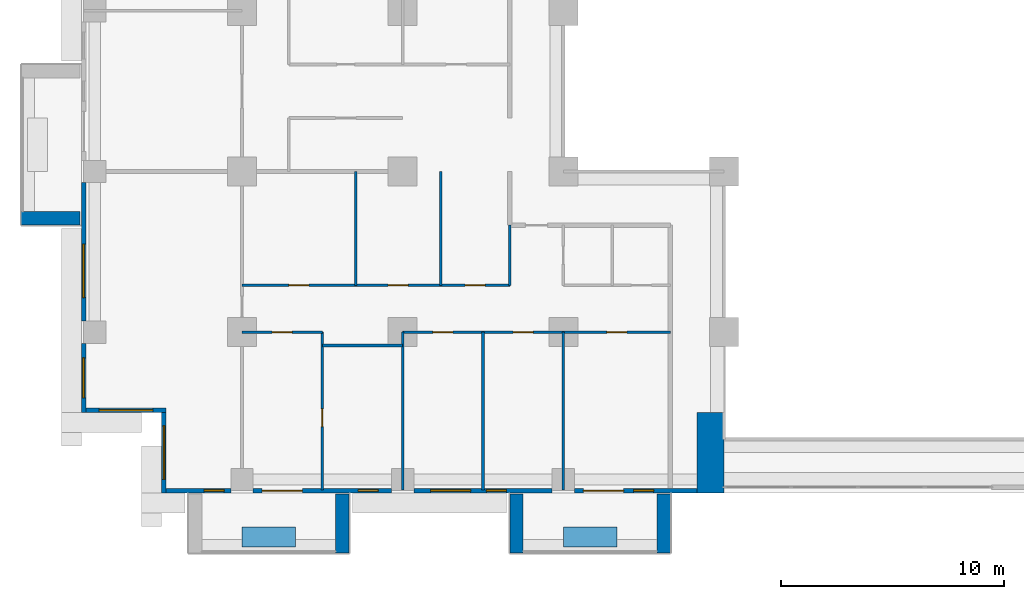
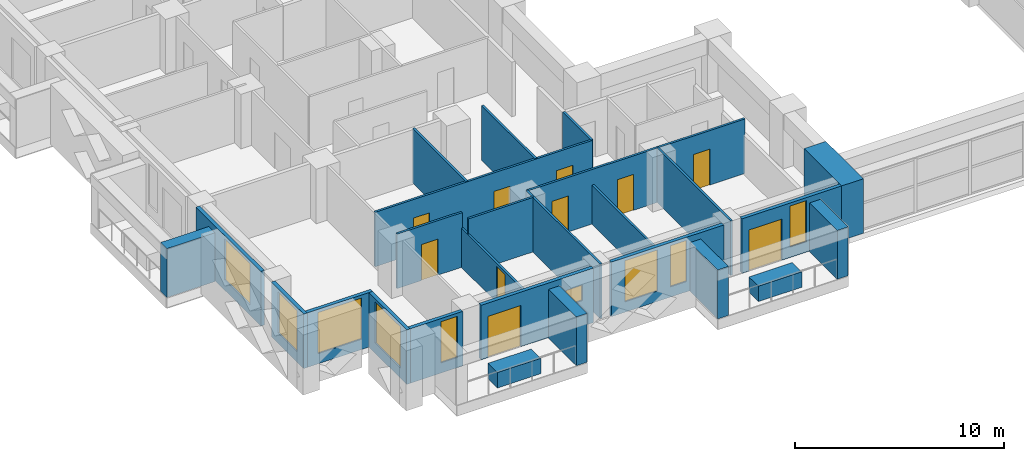
# One storey, part 6 of 17: 26 walls, 10 doors, 9 windows, 19 openings.
"""IFC4 building model written with IfcOpenShell, lengths in metres."""

from ifc_helpers import new_model, si_unit, direction, frame, frame_2d, origin, place, context, subcontext, project, spatial, rectangle, extrude, material, layer, layer_set, type_object, element, fill, save


model = new_model("IFC4")

# Units and contexts
model_context = context("Model", 3, precision=1e-05, world=origin(), true_north=direction((0.0, 1.0)))
body_context = subcontext(model_context, "Body", "Model", "MODEL_VIEW")
ifc_project = project(units=[si_unit("LENGTHUNIT", "METRE"), si_unit("AREAUNIT", "SQUARE_METRE"), si_unit("VOLUMEUNIT", "CUBIC_METRE"), si_unit("PLANEANGLEUNIT", "RADIAN"), si_unit("MASSUNIT", "GRAM", prefix="KILO")], contexts=[model_context])

# Site, building, storey
site_placement = place(None, origin())
site = spatial("IfcSite", under=ifc_project, at=site_placement, CompositionType="ELEMENT")
building_placement = place(site_placement, origin())
building = spatial("IfcBuilding", under=site, at=building_placement, Name="Saffron Iwan Residences", CompositionType="ELEMENT")
storey_placement = place(building_placement, frame((0.0, 0.0, 76.0)))
storey = spatial("IfcBuildingStorey", under=building, at=storey_placement, Name="L19", CompositionType="ELEMENT", Elevation=76.0)

# Walls
ifc_material_1 = material(Name="Concrete C50/60 white painted", Category="concrete")
ifc_layer_1 = layer(ifc_material_1, 0.60009765625)
ifc_layer_set_1 = layer_set([ifc_layer_1], Name="Concrete C50/60 white painted")
wall_type_1 = type_object("IfcWallType", Name="BALCONY FIN 600", PredefinedType="SOLIDWALL", material=ifc_layer_set_1)
for number, where, z_axis, x_axis, name in (
    (1, (14.35009765625, 45.89990234375, 0.0), (0.0, 0.0, 1.0), (-1.0, 0.0, 0.0), "Balcony fin L19 F8-1b"),
    (2, (26.10009765625, 33.550048828125, 0.0), (0.0, 0.0, 1.0), (0.0, -1.0, 0.0), "Balcony fin L19 11-0b"),
    (3, (33.89990234375, 33.550048828125, 0.0), (0.0, 0.0, 1.0), (0.0, -1.0, 0.0), "Balcony fin L19 11-1a"),
    (4, (40.5, 33.550048828125, 0.0), (0.0, 0.0, 1.0), (0.0, -1.0, 0.0), "Balcony fin L19 11-1b"),
):
    element("IfcWall", number, at=place(storey_placement, frame(where, z_axis=z_axis, x_axis=x_axis)), inside=storey, type_object=wall_type_1, Name=name, PredefinedType="SOLIDWALL", context=body_context, shape_type="SweptSolid", body=[
        extrude(rectangle(XDim=2.650146484375, YDim=0.60009765625, at=frame_2d((1.3251953125, 0.0))), origin(), (0.0, 0.0, 1.0), 2.85009765625),
    ])
ifc_material_2 = material(Name="Concrete C35/45 white painted", Category="concrete")
ifc_layer_2 = layer(ifc_material_2, 0.14990234375)
ifc_layer_set_2 = layer_set([ifc_layer_2], Name="Concrete C35/45 white painted")
wall_type_2 = type_object("IfcWallType", Name="BALCONY PLANTER", PredefinedType="SOLIDWALL", material=ifc_layer_set_2)
for number, where, z_axis, x_axis, name in (
    (5, (21.60009765625, 31.625, 0.0), (0.0, 0.0, 1.0), (1.0, 0.0, 0.0), "PLANTER L19 11-0"),
    (6, (36.0, 31.625, 0.0), (0.0, 0.0, 1.0), (1.0, 0.0, 0.0), "PLANTER L19 11-1"),
):
    element("IfcWall", number, at=place(storey_placement, frame(where, z_axis=z_axis, x_axis=x_axis)), inside=storey, type_object=wall_type_2, Name=name, PredefinedType="SOLIDWALL", context=body_context, shape_type="SweptSolid", body=[
        extrude(rectangle(XDim=2.39990234375, YDim=0.89990234375, at=frame_2d((1.199951171875, 0.0))), origin(), (0.0, 0.0, 1.0), 0.89990234375),
    ])

# Wall, opening, window
ifc_material_3 = material(Name="Concrete C40/50", Category="concrete")
ifc_layer_3 = layer(ifc_material_3, 0.199951171875)
ifc_layer_set_3 = layer_set([ifc_layer_3], Name="Concrete C40/50")
wall_type_3 = type_object("IfcWallType", Name="EXTERNAL WALL 200", PredefinedType="SOLIDWALL", material=ifc_layer_set_3)
wall_1_placement = place(storey_placement, frame((14.5, 47.5, 0.0), z_axis=(0.0, 0.0, 1.0), x_axis=(0.0, -1.0, 0.0)))
wall_1 = element("IfcWall", 7, at=wall_1_placement, inside=storey, type_object=wall_type_3, Name="External wall L19 F8.4", PredefinedType="SOLIDWALL", context=body_context, shape_type="SweptSolid", body=[
    extrude(rectangle(XDim=6.199951171875, YDim=0.199951171875, at=frame_2d((3.10009765625, 0.0))), origin(), (0.0, 0.0, 1.0), 3.179931640625),
])
opening_1_placement = place(wall_1_placement, frame((2.75, 0.0, 0.60009765625)))
opening_1 = element("IfcOpeningElement", 8, at=opening_1_placement, cuts=wall_1, Name="Opening W1", PredefinedType="OPENING", context=body_context, shape_type="SweptSolid", body=[
    extrude(rectangle(XDim=2.39990234375, YDim=2.39990234375, at=frame_2d((1.199951171875, 1.199951171875))), frame((0.0, 0.10986328125, 0.0), z_axis=(0.0, -1.0, 0.0), x_axis=(1.0, 0.0, 0.0)), (0.0, 0.0, 1.0), 0.219970703125),
])
ifc_material_4 = material(Name="Clear glass, laminated double glazed", Category="glass")
window_type_1 = type_object("IfcWindowType", Name="WINDOW 2400 x 2400", PartitioningType="DOUBLE_PANEL_VERTICAL", PredefinedType="WINDOW", material=ifc_material_4)
window_1_placement = place(opening_1_placement, origin())
window_1 = element("IfcWindow", 9, at=window_1_placement, inside=storey, type_object=window_type_1, Name="Window L19 F8.0", OverallHeight=2.39990234375, OverallWidth=2.39990234375, PartitioningType="DOUBLE_PANEL_VERTICAL", PredefinedType="WINDOW", context=body_context, shape_type="SweptSolid", body=[
    extrude(rectangle(XDim=2.39990234375, YDim=2.39990234375, at=frame_2d((1.199951171875, 1.199951171875))), frame((0.0, 0.030029296875, 0.0), z_axis=(0.0, -1.0, 0.0), x_axis=(1.0, 0.0, 0.0)), (0.0, 0.0, 1.0), 0.06005859375),
])
fill(opening_1, window_1)

wall_2_placement = place(storey_placement, frame((14.5, 40.300048828125, 0.0), z_axis=(0.0, 0.0, 1.0), x_axis=(0.0, -1.0, 0.0)))
wall_2 = element("IfcWall", 10, at=wall_2_placement, inside=storey, type_object=wall_type_3, Name="External wall L19 F8.5", PredefinedType="SOLIDWALL", context=body_context, shape_type="SweptSolid", body=[
    extrude(rectangle(XDim=3.10009765625, YDim=0.199951171875, at=frame_2d((1.550048828125, 0.0))), origin(), (0.0, 0.0, 1.0), 3.179931640625),
])
opening_2_placement = place(wall_2_placement, frame((0.64990234375, 0.0, 0.60009765625)))
opening_2 = element("IfcOpeningElement", 11, at=opening_2_placement, cuts=wall_2, Name="Opening W8", PredefinedType="OPENING", context=body_context, shape_type="SweptSolid", body=[
    extrude(rectangle(XDim=1.800048828125, YDim=2.39990234375, at=frame_2d((0.89990234375, 1.199951171875))), frame((0.0, 0.10986328125, 0.0), z_axis=(0.0, -1.0, 0.0), x_axis=(1.0, 0.0, 0.0)), (0.0, 0.0, 1.0), 0.219970703125),
])
window_type_2 = type_object("IfcWindowType", Name="WINDOW 1800 x 2400", PartitioningType="DOUBLE_PANEL_VERTICAL", PredefinedType="WINDOW", material=ifc_material_4)
window_2_placement = place(opening_2_placement, origin())
window_2 = element("IfcWindow", 12, at=window_2_placement, inside=storey, type_object=window_type_2, Name="Window L19 F8.0", OverallHeight=2.39990234375, OverallWidth=1.800048828125, PartitioningType="DOUBLE_PANEL_VERTICAL", PredefinedType="WINDOW", context=body_context, shape_type="SweptSolid", body=[
    extrude(rectangle(XDim=1.800048828125, YDim=2.39990234375, at=frame_2d((0.89990234375, 1.199951171875))), frame((0.0, 0.030029296875, 0.0), z_axis=(0.0, -1.0, 0.0), x_axis=(1.0, 0.0, 0.0)), (0.0, 0.0, 1.0), 0.06005859375),
])
fill(opening_2, window_2)

wall_3_placement = place(storey_placement, frame((14.60009765625, 37.300048828125, 0.0), z_axis=(0.0, 0.0, 1.0), x_axis=(1.0, 0.0, 0.0)))
wall_3 = element("IfcWall", 13, at=wall_3_placement, inside=storey, type_object=wall_type_3, Name="External wall L19 F9.0", PredefinedType="SOLIDWALL", context=body_context, shape_type="SweptSolid", body=[
    extrude(rectangle(XDim=3.599853515625, YDim=0.199951171875, at=frame_2d((1.7998046875, 0.0))), origin(), (0.0, 0.0, 1.0), 3.179931640625),
])
opening_3_placement = place(wall_3_placement, frame((0.60009765625, 0.0, 0.60009765625)))
opening_3 = element("IfcOpeningElement", 14, at=opening_3_placement, cuts=wall_3, Name="Opening W1", PredefinedType="OPENING", context=body_context, shape_type="SweptSolid", body=[
    extrude(rectangle(XDim=2.39990234375, YDim=2.39990234375, at=frame_2d((1.199951171875, 1.199951171875))), frame((0.0, 0.10986328125, 0.0), z_axis=(0.0, -1.0, 0.0), x_axis=(1.0, 0.0, 0.0)), (0.0, 0.0, 1.0), 0.219970703125),
])
window_3_placement = place(opening_3_placement, origin())
window_3 = element("IfcWindow", 15, at=window_3_placement, inside=storey, type_object=window_type_1, Name="Window L19 F9.0", OverallHeight=2.39990234375, OverallWidth=2.39990234375, PartitioningType="DOUBLE_PANEL_VERTICAL", PredefinedType="WINDOW", context=body_context, shape_type="SweptSolid", body=[
    extrude(rectangle(XDim=2.39990234375, YDim=2.39990234375, at=frame_2d((1.199951171875, 1.199951171875))), frame((0.0, 0.030029296875, 0.0), z_axis=(0.0, -1.0, 0.0), x_axis=(1.0, 0.0, 0.0)), (0.0, 0.0, 1.0), 0.06005859375),
])
fill(opening_3, window_3)

wall_4_placement = place(storey_placement, frame((18.10009765625, 37.199951171875, 0.0), z_axis=(0.0, 0.0, 1.0), x_axis=(0.0, -1.0, 0.0)))
wall_4 = element("IfcWall", 16, at=wall_4_placement, inside=storey, type_object=wall_type_3, Name="External wall L19 F10.0", PredefinedType="SOLIDWALL", context=body_context, shape_type="SweptSolid", body=[
    extrude(rectangle(XDim=3.599853515625, YDim=0.199951171875, at=frame_2d((1.7998046875, 0.0))), origin(), (0.0, 0.0, 1.0), 3.179931640625),
])
opening_4_placement = place(wall_4_placement, frame((0.60009765625, 0.0, 0.60009765625)))
opening_4 = element("IfcOpeningElement", 17, at=opening_4_placement, cuts=wall_4, Name="Opening W1", PredefinedType="OPENING", context=body_context, shape_type="SweptSolid", body=[
    extrude(rectangle(XDim=2.39990234375, YDim=2.39990234375, at=frame_2d((1.199951171875, 1.199951171875))), frame((0.0, 0.10986328125, 0.0), z_axis=(0.0, -1.0, 0.0), x_axis=(1.0, 0.0, 0.0)), (0.0, 0.0, 1.0), 0.219970703125),
])
window_4_placement = place(opening_4_placement, origin())
window_4 = element("IfcWindow", 18, at=window_4_placement, inside=storey, type_object=window_type_1, Name="Window L19 F10.0", OverallHeight=2.39990234375, OverallWidth=2.39990234375, PartitioningType="DOUBLE_PANEL_VERTICAL", PredefinedType="WINDOW", context=body_context, shape_type="SweptSolid", body=[
    extrude(rectangle(XDim=2.39990234375, YDim=2.39990234375, at=frame_2d((1.199951171875, 1.199951171875))), frame((0.0, 0.030029296875, 0.0), z_axis=(0.0, -1.0, 0.0), x_axis=(1.0, 0.0, 0.0)), (0.0, 0.0, 1.0), 0.06005859375),
])
fill(opening_4, window_4)

wall_5_placement = place(storey_placement, frame((18.199951171875, 33.699951171875, 0.0), z_axis=(0.0, 0.0, 1.0), x_axis=(1.0, 0.0, 0.0)))
wall_5 = element("IfcWall", 19, at=wall_5_placement, inside=storey, type_object=wall_type_3, Name="External wall L19 F11.0", PredefinedType="SOLIDWALL", context=body_context, shape_type="SweptSolid", body=[
    extrude(rectangle(XDim=2.900146484375, YDim=0.199951171875, at=frame_2d((1.4501953125, 0.0))), origin(), (0.0, 0.0, 1.0), 3.179931640625),
])
opening_5_placement = place(wall_5_placement, frame((1.699951171875, 0.0, 0.60009765625)))
opening_5 = element("IfcOpeningElement", 20, at=opening_5_placement, cuts=wall_5, Name="Opening W10", PredefinedType="OPENING", context=body_context, shape_type="SweptSolid", body=[
    extrude(rectangle(XDim=0.89990234375, YDim=2.39990234375, at=frame_2d((0.449951171875, 1.199951171875))), frame((0.0, 0.10986328125, 0.0), z_axis=(0.0, -1.0, 0.0), x_axis=(1.0, 0.0, 0.0)), (0.0, 0.0, 1.0), 0.219970703125),
])
window_type_3 = type_object("IfcWindowType", Name="WINDOW 900 x 2400", PartitioningType="SINGLE_PANEL", PredefinedType="WINDOW", material=ifc_material_4)
window_5_placement = place(opening_5_placement, origin())
window_5 = element("IfcWindow", 21, at=window_5_placement, inside=storey, type_object=window_type_3, Name="Window L19 F11.0", OverallHeight=2.39990234375, OverallWidth=0.89990234375, PartitioningType="SINGLE_PANEL", PredefinedType="WINDOW", context=body_context, shape_type="SweptSolid", body=[
    extrude(rectangle(XDim=0.89990234375, YDim=2.39990234375, at=frame_2d((0.449951171875, 1.199951171875))), frame((0.0, 0.030029296875, 0.0), z_axis=(0.0, -1.0, 0.0), x_axis=(1.0, 0.0, 0.0)), (0.0, 0.0, 1.0), 0.06005859375),
])
fill(opening_5, window_5)

# Wall, openings, door, window
wall_6_placement = place(storey_placement, frame((22.10009765625, 33.699951171875, 0.0), z_axis=(0.0, 0.0, 1.0), x_axis=(1.0, 0.0, 0.0)))
wall_6 = element("IfcWall", 22, at=wall_6_placement, inside=storey, type_object=wall_type_3, Name="External wall L19 F11.1", PredefinedType="SOLIDWALL", context=body_context, shape_type="SweptSolid", body=[
    extrude(rectangle(XDim=6.199951171875, YDim=0.199951171875, at=frame_2d((3.10009765625, 0.0))), origin(), (0.0, 0.0, 1.0), 3.179931640625),
])
opening_6_placement = place(wall_6_placement, frame((0.39990234375, 0.0, 0.0)))
opening_6 = element("IfcOpeningElement", 23, at=opening_6_placement, cuts=wall_6, Name="Opening BD1", PredefinedType="OPENING", context=body_context, shape_type="SweptSolid", body=[
    extrude(rectangle(XDim=1.800048828125, YDim=2.39990234375, at=frame_2d((0.89990234375, 1.199951171875))), frame((0.0, 0.10986328125, 0.0), z_axis=(0.0, -1.0, 0.0), x_axis=(1.0, 0.0, 0.0)), (0.0, 0.0, 1.0), 0.219970703125),
])
opening_7_placement = place(wall_6_placement, frame((4.699951171875, 0.0, 1.5)))
opening_7 = element("IfcOpeningElement", 24, at=opening_7_placement, cuts=wall_6, Name="Opening W6", PredefinedType="OPENING", context=body_context, shape_type="SweptSolid", body=[
    extrude(rectangle(XDim=0.89990234375, YDim=0.89990234375, at=frame_2d((0.449951171875, 0.449951171875))), frame((0.0, 0.10986328125, 0.0), z_axis=(0.0, -1.0, 0.0), x_axis=(1.0, 0.0, 0.0)), (0.0, 0.0, 1.0), 0.219970703125),
])
door_type_1 = type_object("IfcDoorType", Name="BALCONY DOOR 1800 x 2400", OperationType="DOUBLE_DOOR_SLIDING", PredefinedType="DOOR", material=ifc_material_4)
door_1_placement = place(opening_6_placement, origin())
door_1 = element("IfcDoor", 25, at=door_1_placement, inside=storey, type_object=door_type_1, Name="Balcony door L19 F11.0", OperationType="DOUBLE_DOOR_SLIDING", OverallHeight=2.39990234375, OverallWidth=1.800048828125, PredefinedType="DOOR", context=body_context, shape_type="SweptSolid", body=[
    extrude(rectangle(XDim=1.800048828125, YDim=2.39990234375, at=frame_2d((0.89990234375, 1.199951171875))), frame((0.0, 0.02490234375, 0.0), z_axis=(0.0, -1.0, 0.0), x_axis=(1.0, 0.0, 0.0)), (0.0, 0.0, 1.0), 0.050048828125),
])
fill(opening_6, door_1)
window_type_4 = type_object("IfcWindowType", Name="WINDOW 900 x 900 BATH", PartitioningType="SINGLE_PANEL", PredefinedType="WINDOW", material=ifc_material_4)
window_6_placement = place(opening_7_placement, origin())
window_6 = element("IfcWindow", 26, at=window_6_placement, inside=storey, type_object=window_type_4, Name="Window L19 F11.1", OverallHeight=0.89990234375, OverallWidth=0.89990234375, PartitioningType="SINGLE_PANEL", PredefinedType="WINDOW", context=body_context, shape_type="SweptSolid", body=[
    extrude(rectangle(XDim=0.89990234375, YDim=0.89990234375, at=frame_2d((0.449951171875, 0.449951171875))), frame((0.0, 0.030029296875, 0.0), z_axis=(0.0, -1.0, 0.0), x_axis=(1.0, 0.0, 0.0)), (0.0, 0.0, 1.0), 0.06005859375),
])
fill(opening_7, window_6)

# Wall, openings, windows
wall_7_placement = place(storey_placement, frame((29.300048828125, 33.699951171875, 0.0), z_axis=(0.0, 0.0, 1.0), x_axis=(1.0, 0.0, 0.0)))
wall_7 = element("IfcWall", 27, at=wall_7_placement, inside=storey, type_object=wall_type_3, Name="External wall L19 F11.2", PredefinedType="SOLIDWALL", context=body_context, shape_type="SweptSolid", body=[
    extrude(rectangle(XDim=6.199951171875, YDim=0.199951171875, at=frame_2d((3.10009765625, 0.0))), origin(), (0.0, 0.0, 1.0), 3.179931640625),
])
opening_8_placement = place(wall_7_placement, frame((0.75, 0.0, 0.60009765625)))
opening_8 = element("IfcOpeningElement", 28, at=opening_8_placement, cuts=wall_7, Name="Opening W8", PredefinedType="OPENING", context=body_context, shape_type="SweptSolid", body=[
    extrude(rectangle(XDim=1.800048828125, YDim=2.39990234375, at=frame_2d((0.89990234375, 1.199951171875))), frame((0.0, 0.10986328125, 0.0), z_axis=(0.0, -1.0, 0.0), x_axis=(1.0, 0.0, 0.0)), (0.0, 0.0, 1.0), 0.219970703125),
])
opening_9_placement = place(wall_7_placement, frame((3.25, 0.0, 0.60009765625)))
opening_9 = element("IfcOpeningElement", 29, at=opening_9_placement, cuts=wall_7, Name="Opening W10", PredefinedType="OPENING", context=body_context, shape_type="SweptSolid", body=[
    extrude(rectangle(XDim=0.89990234375, YDim=2.39990234375, at=frame_2d((0.449951171875, 1.199951171875))), frame((0.0, 0.10986328125, 0.0), z_axis=(0.0, -1.0, 0.0), x_axis=(1.0, 0.0, 0.0)), (0.0, 0.0, 1.0), 0.219970703125),
])
window_7_placement = place(opening_8_placement, origin())
window_7 = element("IfcWindow", 30, at=window_7_placement, inside=storey, type_object=window_type_2, Name="Window L19 F11.0", OverallHeight=2.39990234375, OverallWidth=1.800048828125, PartitioningType="DOUBLE_PANEL_VERTICAL", PredefinedType="WINDOW", context=body_context, shape_type="SweptSolid", body=[
    extrude(rectangle(XDim=1.800048828125, YDim=2.39990234375, at=frame_2d((0.89990234375, 1.199951171875))), frame((0.0, 0.030029296875, 0.0), z_axis=(0.0, -1.0, 0.0), x_axis=(1.0, 0.0, 0.0)), (0.0, 0.0, 1.0), 0.06005859375),
])
fill(opening_8, window_7)
window_8_placement = place(opening_9_placement, origin())
window_8 = element("IfcWindow", 31, at=window_8_placement, inside=storey, type_object=window_type_3, Name="Window L19 F11.1", OverallHeight=2.39990234375, OverallWidth=0.89990234375, PartitioningType="SINGLE_PANEL", PredefinedType="WINDOW", context=body_context, shape_type="SweptSolid", body=[
    extrude(rectangle(XDim=0.89990234375, YDim=2.39990234375, at=frame_2d((0.449951171875, 1.199951171875))), frame((0.0, 0.030029296875, 0.0), z_axis=(0.0, -1.0, 0.0), x_axis=(1.0, 0.0, 0.0)), (0.0, 0.0, 1.0), 0.06005859375),
])
fill(opening_9, window_8)

# Wall, openings, door, window
wall_8_placement = place(storey_placement, frame((36.5, 33.699951171875, 0.0), z_axis=(0.0, 0.0, 1.0), x_axis=(1.0, 0.0, 0.0)))
wall_8 = element("IfcWall", 32, at=wall_8_placement, inside=storey, type_object=wall_type_3, Name="External wall L19 F11.3", PredefinedType="SOLIDWALL", context=body_context, shape_type="SweptSolid", body=[
    extrude(rectangle(XDim=5.5, YDim=0.199951171875, at=frame_2d((2.75, 0.0))), origin(), (0.0, 0.0, 1.0), 3.179931640625),
])
opening_10_placement = place(wall_8_placement, frame((0.39990234375, 0.0, 0.0)))
opening_10 = element("IfcOpeningElement", 33, at=opening_10_placement, cuts=wall_8, Name="Opening BD1", PredefinedType="OPENING", context=body_context, shape_type="SweptSolid", body=[
    extrude(rectangle(XDim=1.800048828125, YDim=2.39990234375, at=frame_2d((0.89990234375, 1.199951171875))), frame((0.0, 0.10986328125, 0.0), z_axis=(0.0, -1.0, 0.0), x_axis=(1.0, 0.0, 0.0)), (0.0, 0.0, 1.0), 0.219970703125),
])
opening_11_placement = place(wall_8_placement, frame((2.64990234375, 0.0, 0.60009765625)))
opening_11 = element("IfcOpeningElement", 34, at=opening_11_placement, cuts=wall_8, Name="Opening W10", PredefinedType="OPENING", context=body_context, shape_type="SweptSolid", body=[
    extrude(rectangle(XDim=0.89990234375, YDim=2.39990234375, at=frame_2d((0.449951171875, 1.199951171875))), frame((0.0, 0.10986328125, 0.0), z_axis=(0.0, -1.0, 0.0), x_axis=(1.0, 0.0, 0.0)), (0.0, 0.0, 1.0), 0.219970703125),
])
door_2_placement = place(opening_10_placement, origin())
door_2 = element("IfcDoor", 35, at=door_2_placement, inside=storey, type_object=door_type_1, Name="Balcony door L19 F11.0", OperationType="DOUBLE_DOOR_SLIDING", OverallHeight=2.39990234375, OverallWidth=1.800048828125, PredefinedType="DOOR", context=body_context, shape_type="SweptSolid", body=[
    extrude(rectangle(XDim=1.800048828125, YDim=2.39990234375, at=frame_2d((0.89990234375, 1.199951171875))), frame((0.0, 0.02490234375, 0.0), z_axis=(0.0, -1.0, 0.0), x_axis=(1.0, 0.0, 0.0)), (0.0, 0.0, 1.0), 0.050048828125),
])
fill(opening_10, door_2)
window_9_placement = place(opening_11_placement, origin())
window_9 = element("IfcWindow", 36, at=window_9_placement, inside=storey, type_object=window_type_3, Name="Window L19 F11.1", OverallHeight=2.39990234375, OverallWidth=0.89990234375, PartitioningType="SINGLE_PANEL", PredefinedType="WINDOW", context=body_context, shape_type="SweptSolid", body=[
    extrude(rectangle(XDim=0.89990234375, YDim=2.39990234375, at=frame_2d((0.449951171875, 1.199951171875))), frame((0.0, 0.030029296875, 0.0), z_axis=(0.0, -1.0, 0.0), x_axis=(1.0, 0.0, 0.0)), (0.0, 0.0, 1.0), 0.06005859375),
])
fill(opening_11, window_9)

# Wall
ifc_material_5 = material(Name="Gypsum board partition")
ifc_layer_4 = layer(ifc_material_5, 0.1201171875)
ifc_layer_set_4 = layer_set([ifc_layer_4], Name="Gypsum board partition")
wall_type_4 = type_object("IfcWallType", Name="Flat partition 120", PredefinedType="PARTITIONING", material=ifc_layer_set_4)
wall_9_placement = place(storey_placement, frame((25.199951171875, 40.199951171875, 0.0), z_axis=(0.0, 0.0, 1.0), x_axis=(1.0, 0.0, 0.0)))
element("IfcWall", 37, at=wall_9_placement, inside=storey, type_object=wall_type_4, Name="W-L19-PART-h40.2-25.2", PredefinedType="PARTITIONING", context=body_context, shape_type="SweptSolid", body=[
    extrude(rectangle(XDim=3.60009765625, YDim=0.1201171875, at=frame_2d((1.800048828125, 0.0))), origin(), (0.0, 0.0, 1.0), 3.179931640625),
])

# Wall, opening, door
wall_10_placement = place(storey_placement, frame((21.60009765625, 40.800048828125, 0.0), z_axis=(0.0, 0.0, 1.0), x_axis=(1.0, 0.0, 0.0)))
wall_10 = element("IfcWall", 38, at=wall_10_placement, inside=storey, type_object=wall_type_4, Name="W-L19-PART-h40.8-21.6", PredefinedType="PARTITIONING", context=body_context, shape_type="SweptSolid", body=[
    extrude(rectangle(XDim=3.599853515625, YDim=0.1201171875, at=frame_2d((1.7998046875, 0.0))), origin(), (0.0, 0.0, 1.0), 3.179931640625),
])
opening_12_placement = place(wall_10_placement, frame((1.35009765625, 0.0, 0.0)))
opening_12 = element("IfcOpeningElement", 39, at=opening_12_placement, cuts=wall_10, Name="Opening FD2", PredefinedType="OPENING", context=body_context, shape_type="SweptSolid", body=[
    extrude(rectangle(XDim=0.89990234375, YDim=2.10009765625, at=frame_2d((0.449951171875, 1.050048828125))), frame((0.0, 0.070068359375, 0.0), z_axis=(0.0, -1.0, 0.0), x_axis=(1.0, 0.0, 0.0)), (0.0, 0.0, 1.0), 0.14013671875),
])
ifc_material_6 = material(Name="Timber door", Category="wood")
door_type_2 = type_object("IfcDoorType", Name="Flat door 900", OperationType="NOTDEFINED", PredefinedType="DOOR", material=ifc_material_6)
door_3_placement = place(opening_12_placement, origin())
door_3 = element("IfcDoor", 40, at=door_3_placement, inside=storey, type_object=door_type_2, Name="Door L19-003", OperationType="SINGLE_SWING_RIGHT", OverallHeight=2.10009765625, OverallWidth=0.89990234375, PredefinedType="DOOR", context=body_context, shape_type="SweptSolid", body=[
    extrude(rectangle(XDim=0.89990234375, YDim=2.10009765625, at=frame_2d((0.449951171875, 1.050048828125))), frame((0.0, 0.02490234375, 0.0), z_axis=(0.0, -1.0, 0.0), x_axis=(1.0, 0.0, 0.0)), (0.0, 0.0, 1.0), 0.050048828125),
])
fill(opening_12, door_3)

# Wall, openings, doors
wall_11_placement = place(storey_placement, frame((28.800048828125, 40.800048828125, 0.0), z_axis=(0.0, 0.0, 1.0), x_axis=(1.0, 0.0, 0.0)))
wall_11 = element("IfcWall", 41, at=wall_11_placement, inside=storey, type_object=wall_type_4, Name="W-L19-PART-h40.8-28.8", PredefinedType="PARTITIONING", context=body_context, shape_type="SweptSolid", body=[
    extrude(rectangle(XDim=12.0, YDim=0.1201171875, at=frame_2d((6.0, 0.0))), origin(), (0.0, 0.0, 1.0), 3.179931640625),
])
opening_13_placement = place(wall_11_placement, frame((1.35009765625, 0.0, 0.0)))
opening_13 = element("IfcOpeningElement", 42, at=opening_13_placement, cuts=wall_11, Name="Opening FD2", PredefinedType="OPENING", context=body_context, shape_type="SweptSolid", body=[
    extrude(rectangle(XDim=0.89990234375, YDim=2.10009765625, at=frame_2d((0.449951171875, 1.050048828125))), frame((0.0, 0.070068359375, 0.0), z_axis=(0.0, -1.0, 0.0), x_axis=(1.0, 0.0, 0.0)), (0.0, 0.0, 1.0), 0.14013671875),
])
opening_14_placement = place(wall_11_placement, frame((4.949951171875, 0.0, 0.0)))
opening_14 = element("IfcOpeningElement", 43, at=opening_14_placement, cuts=wall_11, Name="Opening FD2", PredefinedType="OPENING", context=body_context, shape_type="SweptSolid", body=[
    extrude(rectangle(XDim=0.89990234375, YDim=2.10009765625, at=frame_2d((0.449951171875, 1.050048828125))), frame((0.0, 0.070068359375, 0.0), z_axis=(0.0, -1.0, 0.0), x_axis=(1.0, 0.0, 0.0)), (0.0, 0.0, 1.0), 0.14013671875),
])
opening_15_placement = place(wall_11_placement, frame((9.14990234375, 0.0, 0.0)))
opening_15 = element("IfcOpeningElement", 44, at=opening_15_placement, cuts=wall_11, Name="Opening FD2", PredefinedType="OPENING", context=body_context, shape_type="SweptSolid", body=[
    extrude(rectangle(XDim=0.89990234375, YDim=2.10009765625, at=frame_2d((0.449951171875, 1.050048828125))), frame((0.0, 0.070068359375, 0.0), z_axis=(0.0, -1.0, 0.0), x_axis=(1.0, 0.0, 0.0)), (0.0, 0.0, 1.0), 0.14013671875),
])
door_4_placement = place(opening_13_placement, origin())
door_4 = element("IfcDoor", 45, at=door_4_placement, inside=storey, type_object=door_type_2, Name="Door L19-005", OperationType="SINGLE_SWING_LEFT", OverallHeight=2.10009765625, OverallWidth=0.89990234375, PredefinedType="DOOR", context=body_context, shape_type="SweptSolid", body=[
    extrude(rectangle(XDim=0.89990234375, YDim=2.10009765625, at=frame_2d((0.449951171875, 1.050048828125))), frame((0.0, 0.02490234375, 0.0), z_axis=(0.0, -1.0, 0.0), x_axis=(1.0, 0.0, 0.0)), (0.0, 0.0, 1.0), 0.050048828125),
])
fill(opening_13, door_4)
door_5_placement = place(opening_14_placement, origin())
door_5 = element("IfcDoor", 46, at=door_5_placement, inside=storey, type_object=door_type_2, Name="Door L19-006", OperationType="SINGLE_SWING_RIGHT", OverallHeight=2.10009765625, OverallWidth=0.89990234375, PredefinedType="DOOR", context=body_context, shape_type="SweptSolid", body=[
    extrude(rectangle(XDim=0.89990234375, YDim=2.10009765625, at=frame_2d((0.449951171875, 1.050048828125))), frame((0.0, 0.02490234375, 0.0), z_axis=(0.0, -1.0, 0.0), x_axis=(1.0, 0.0, 0.0)), (0.0, 0.0, 1.0), 0.050048828125),
])
fill(opening_14, door_5)
door_6_placement = place(opening_15_placement, origin())
door_6 = element("IfcDoor", 47, at=door_6_placement, inside=storey, type_object=door_type_2, Name="Door L19-007", OperationType="SINGLE_SWING_LEFT", OverallHeight=2.10009765625, OverallWidth=0.89990234375, PredefinedType="DOOR", context=body_context, shape_type="SweptSolid", body=[
    extrude(rectangle(XDim=0.89990234375, YDim=2.10009765625, at=frame_2d((0.449951171875, 1.050048828125))), frame((0.0, 0.02490234375, 0.0), z_axis=(0.0, -1.0, 0.0), x_axis=(1.0, 0.0, 0.0)), (0.0, 0.0, 1.0), 0.050048828125),
])
fill(opening_15, door_6)

wall_12_placement = place(storey_placement, frame((21.60009765625, 42.89990234375, 0.0), z_axis=(0.0, 0.0, 1.0), x_axis=(1.0, 0.0, 0.0)))
wall_12 = element("IfcWall", 48, at=wall_12_placement, inside=storey, type_object=wall_type_4, Name="W-L19-PART-h42.9-21.6", PredefinedType="PARTITIONING", context=body_context, shape_type="SweptSolid", body=[
    extrude(rectangle(XDim=12.0, YDim=0.1201171875, at=frame_2d((6.0, 0.0))), origin(), (0.0, 0.0, 1.0), 3.179931640625),
])
opening_16_placement = place(wall_12_placement, frame((2.10009765625, 0.0, 0.0)))
opening_16 = element("IfcOpeningElement", 49, at=opening_16_placement, cuts=wall_12, Name="Opening FD2", PredefinedType="OPENING", context=body_context, shape_type="SweptSolid", body=[
    extrude(rectangle(XDim=0.89990234375, YDim=2.10009765625, at=frame_2d((0.449951171875, 1.050048828125))), frame((0.0, 0.070068359375, 0.0), z_axis=(0.0, -1.0, 0.0), x_axis=(1.0, 0.0, 0.0)), (0.0, 0.0, 1.0), 0.14013671875),
])
opening_17_placement = place(wall_12_placement, frame((6.550048828125, 0.0, 0.0)))
opening_17 = element("IfcOpeningElement", 50, at=opening_17_placement, cuts=wall_12, Name="Opening FD2", PredefinedType="OPENING", context=body_context, shape_type="SweptSolid", body=[
    extrude(rectangle(XDim=0.89990234375, YDim=2.10009765625, at=frame_2d((0.449951171875, 1.050048828125))), frame((0.0, 0.070068359375, 0.0), z_axis=(0.0, -1.0, 0.0), x_axis=(1.0, 0.0, 0.0)), (0.0, 0.0, 1.0), 0.14013671875),
])
opening_18_placement = place(wall_12_placement, frame((10.0, 0.0, 0.0)))
opening_18 = element("IfcOpeningElement", 51, at=opening_18_placement, cuts=wall_12, Name="Opening FD2", PredefinedType="OPENING", context=body_context, shape_type="SweptSolid", body=[
    extrude(rectangle(XDim=0.89990234375, YDim=2.10009765625, at=frame_2d((0.449951171875, 1.050048828125))), frame((0.0, 0.070068359375, 0.0), z_axis=(0.0, -1.0, 0.0), x_axis=(1.0, 0.0, 0.0)), (0.0, 0.0, 1.0), 0.14013671875),
])
door_7_placement = place(opening_16_placement, origin())
door_7 = element("IfcDoor", 52, at=door_7_placement, inside=storey, type_object=door_type_2, Name="Door L19-008", OperationType="SINGLE_SWING_LEFT", OverallHeight=2.10009765625, OverallWidth=0.89990234375, PredefinedType="DOOR", context=body_context, shape_type="SweptSolid", body=[
    extrude(rectangle(XDim=0.89990234375, YDim=2.10009765625, at=frame_2d((0.449951171875, 1.050048828125))), frame((0.0, 0.02490234375, 0.0), z_axis=(0.0, -1.0, 0.0), x_axis=(1.0, 0.0, 0.0)), (0.0, 0.0, 1.0), 0.050048828125),
])
fill(opening_16, door_7)
door_8_placement = place(opening_17_placement, origin())
door_8 = element("IfcDoor", 53, at=door_8_placement, inside=storey, type_object=door_type_2, Name="Door L19-009", OperationType="SINGLE_SWING_RIGHT", OverallHeight=2.10009765625, OverallWidth=0.89990234375, PredefinedType="DOOR", context=body_context, shape_type="SweptSolid", body=[
    extrude(rectangle(XDim=0.89990234375, YDim=2.10009765625, at=frame_2d((0.449951171875, 1.050048828125))), frame((0.0, 0.02490234375, 0.0), z_axis=(0.0, -1.0, 0.0), x_axis=(1.0, 0.0, 0.0)), (0.0, 0.0, 1.0), 0.050048828125),
])
fill(opening_17, door_8)
door_9_placement = place(opening_18_placement, origin())
door_9 = element("IfcDoor", 54, at=door_9_placement, inside=storey, type_object=door_type_2, Name="Door L19-010", OperationType="SINGLE_SWING_LEFT", OverallHeight=2.10009765625, OverallWidth=0.89990234375, PredefinedType="DOOR", context=body_context, shape_type="SweptSolid", body=[
    extrude(rectangle(XDim=0.89990234375, YDim=2.10009765625, at=frame_2d((0.449951171875, 1.050048828125))), frame((0.0, 0.02490234375, 0.0), z_axis=(0.0, -1.0, 0.0), x_axis=(1.0, 0.0, 0.0)), (0.0, 0.0, 1.0), 0.050048828125),
])
fill(opening_18, door_9)

# Wall, opening, door
wall_13_placement = place(storey_placement, frame((25.199951171875, 33.72509765625, 0.0), z_axis=(0.0, 0.0, 1.0), x_axis=(0.0, 1.0, 0.0)))
wall_13 = element("IfcWall", 55, at=wall_13_placement, inside=storey, type_object=wall_type_4, Name="W-L19-PART-v25.2-33.725", PredefinedType="PARTITIONING", context=body_context, shape_type="SweptSolid", body=[
    extrude(rectangle(XDim=7.074951171875, YDim=0.1201171875, at=frame_2d((3.53759765625, 0.0))), origin(), (0.0, 0.0, 1.0), 2.280029296875),
])
opening_19_placement = place(wall_13_placement, frame((2.83740234375, 0.0, 0.0)))
opening_19 = element("IfcOpeningElement", 56, at=opening_19_placement, cuts=wall_13, Name="Opening FD3", PredefinedType="OPENING", context=body_context, shape_type="SweptSolid", body=[
    extrude(rectangle(XDim=0.800048828125, YDim=2.10009765625, at=frame_2d((0.39990234375, 1.050048828125))), frame((0.0, 0.070068359375, 0.0), z_axis=(0.0, -1.0, 0.0), x_axis=(1.0, 0.0, 0.0)), (0.0, 0.0, 1.0), 0.14013671875),
])
door_type_3 = type_object("IfcDoorType", Name="Bathroom door 800", OperationType="NOTDEFINED", PredefinedType="DOOR", material=ifc_material_6)
door_10_placement = place(opening_19_placement, origin())
door_10 = element("IfcDoor", 57, at=door_10_placement, inside=storey, type_object=door_type_3, Name="Door L19-004", OperationType="SINGLE_SWING_LEFT", OverallHeight=2.10009765625, OverallWidth=0.800048828125, PredefinedType="DOOR", context=body_context, shape_type="SweptSolid", body=[
    extrude(rectangle(XDim=0.800048828125, YDim=2.10009765625, at=frame_2d((0.39990234375, 1.050048828125))), frame((0.0, 0.02490234375, 0.0), z_axis=(0.0, -1.0, 0.0), x_axis=(1.0, 0.0, 0.0)), (0.0, 0.0, 1.0), 0.050048828125),
])
fill(opening_19, door_10)

# Walls
wall_14_placement = place(storey_placement, frame((26.699951171875, 42.89990234375, 0.0), z_axis=(0.0, 0.0, 1.0), x_axis=(0.0, 1.0, 0.0)))
element("IfcWall", 58, at=wall_14_placement, inside=storey, type_object=wall_type_4, Name="W-L19-PART-v26.7-42.9", PredefinedType="PARTITIONING", context=body_context, shape_type="SweptSolid", body=[
    extrude(rectangle(XDim=5.10009765625, YDim=0.1201171875, at=frame_2d((2.550048828125, 0.0))), origin(), (0.0, 0.0, 1.0), 3.179931640625),
])
wall_15_placement = place(storey_placement, frame((28.800048828125, 33.72509765625, 0.0), z_axis=(0.0, 0.0, 1.0), x_axis=(0.0, 1.0, 0.0)))
element("IfcWall", 59, at=wall_15_placement, inside=storey, type_object=wall_type_4, Name="W-L19-PART-v28.8-33.725", PredefinedType="PARTITIONING", context=body_context, shape_type="SweptSolid", body=[
    extrude(rectangle(XDim=7.074951171875, YDim=0.1201171875, at=frame_2d((3.53759765625, 0.0))), origin(), (0.0, 0.0, 1.0), 3.179931640625),
])
wall_16_placement = place(storey_placement, frame((30.5, 42.89990234375, 0.0), z_axis=(0.0, 0.0, 1.0), x_axis=(0.0, 1.0, 0.0)))
element("IfcWall", 60, at=wall_16_placement, inside=storey, type_object=wall_type_4, Name="W-L19-PART-v30.5-42.9", PredefinedType="PARTITIONING", context=body_context, shape_type="SweptSolid", body=[
    extrude(rectangle(XDim=5.10009765625, YDim=0.1201171875, at=frame_2d((2.550048828125, 0.0))), origin(), (0.0, 0.0, 1.0), 3.179931640625),
])
wall_17_placement = place(storey_placement, frame((32.39990234375, 33.72509765625, 0.0), z_axis=(0.0, 0.0, 1.0), x_axis=(0.0, 1.0, 0.0)))
element("IfcWall", 61, at=wall_17_placement, inside=storey, type_object=wall_type_4, Name="W-L19-PART-v32.4-33.725", PredefinedType="PARTITIONING", context=body_context, shape_type="SweptSolid", body=[
    extrude(rectangle(XDim=7.074951171875, YDim=0.1201171875, at=frame_2d((3.53759765625, 0.0))), origin(), (0.0, 0.0, 1.0), 2.280029296875),
])
wall_18_placement = place(storey_placement, frame((33.60009765625, 42.89990234375, 0.0), z_axis=(0.0, 0.0, 1.0), x_axis=(0.0, 1.0, 0.0)))
element("IfcWall", 62, at=wall_18_placement, inside=storey, type_object=wall_type_4, Name="W-L19-PART-v33.6-42.9", PredefinedType="PARTITIONING", context=body_context, shape_type="SweptSolid", body=[
    extrude(rectangle(XDim=2.7001953125, YDim=0.1201171875, at=frame_2d((1.35009765625, 0.0))), origin(), (0.0, 0.0, 1.0), 3.179931640625),
])
wall_19_placement = place(storey_placement, frame((36.0, 33.72509765625, 0.0), z_axis=(0.0, 0.0, 1.0), x_axis=(0.0, 1.0, 0.0)))
element("IfcWall", 63, at=wall_19_placement, inside=storey, type_object=wall_type_4, Name="W-L19-PART-v36-33.725", PredefinedType="PARTITIONING", context=body_context, shape_type="SweptSolid", body=[
    extrude(rectangle(XDim=7.074951171875, YDim=0.1201171875, at=frame_2d((3.53759765625, 0.0))), origin(), (0.0, 0.0, 1.0), 3.179931640625),
])
ifc_material_7 = material(Name="Concrete C60/75", Category="concrete")
ifc_layer_5 = layer(ifc_material_7, 1.199951171875)
ifc_layer_set_5 = layer_set([ifc_layer_5], Name="Concrete C60/75")
wall_type_5 = type_object("IfcWallType", Name="WALL IWAN PIER 1200 C60/75 3180 HIGH", PredefinedType="SHEAR", material=ifc_layer_set_5)
wall_20_placement = place(storey_placement, frame((42.60009765625, 33.60009765625, 0.0), z_axis=(0.0, 0.0, 1.0), x_axis=(0.0, 1.0, 0.0)))
element("IfcWall", 64, at=wall_20_placement, inside=storey, type_object=wall_type_5, Name="IWAN PIER", PredefinedType="SHEAR", context=body_context, shape_type="SweptSolid", body=[
    extrude(rectangle(XDim=3.599853515625, YDim=1.199951171875, at=frame_2d((1.7998046875, 0.0))), origin(), (0.0, 0.0, 1.0), 3.179931640625),
])

save(model, "model.ifc")
